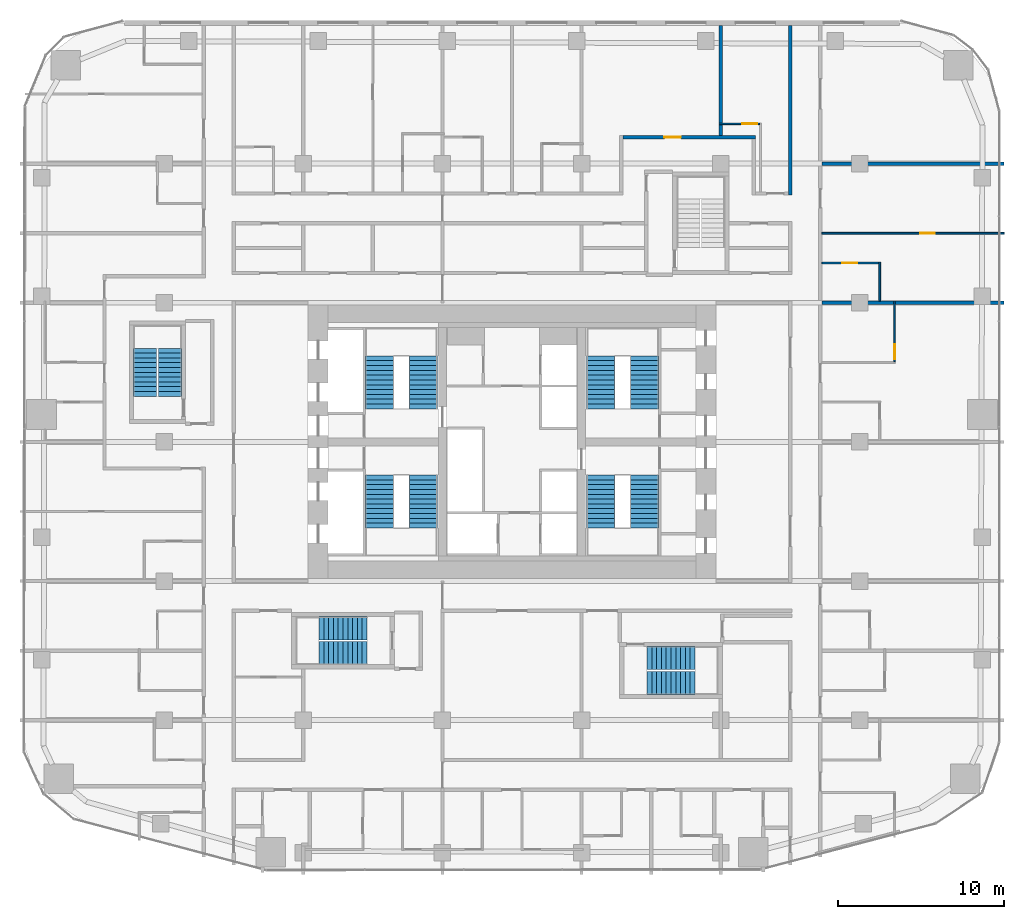
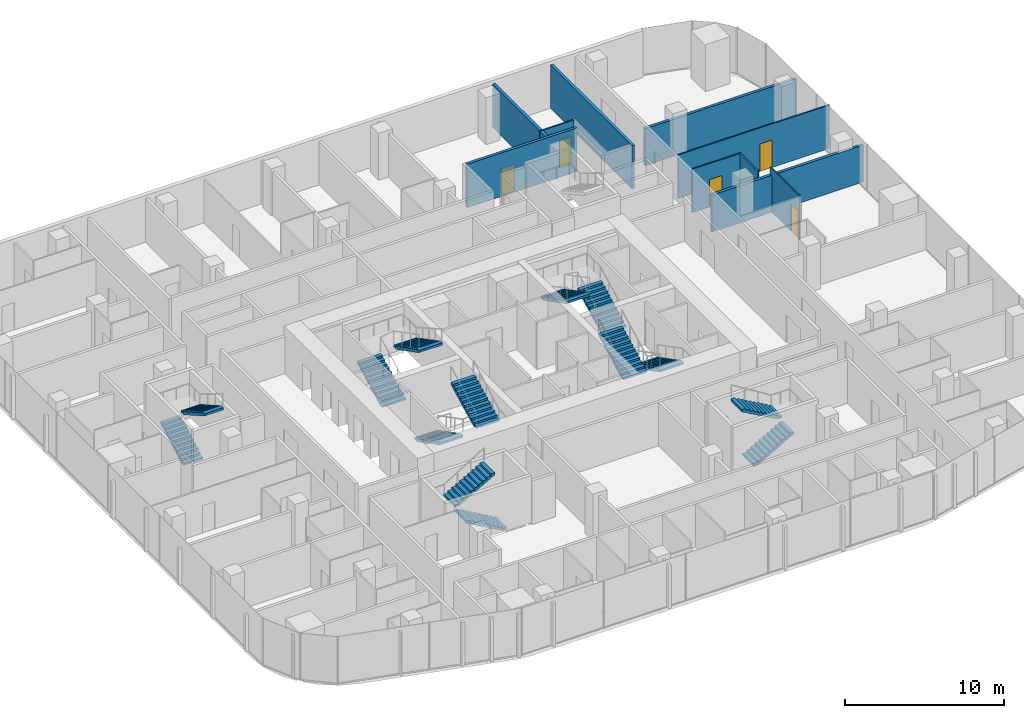
# One storey, part 23 of 26: 14 stair flights, 10 walls, 5 doors, 5 openings, 7 elements without a shape of their own.
"""IFC4 building model written with IfcOpenShell, lengths in metres."""

from ifc_helpers import new_model, si_unit, direction, frame, frame_2d, origin, place, context, subcontext, project, spatial, polyline, rectangle, outline, extrude, material, layer, layer_set, type_object, element, fill, aggregate, save


model = new_model("IFC4")

# Units and contexts
model_context = context("Model", 3, precision=1e-05, world=origin(), true_north=direction((0.0, 1.0)))
body_context = subcontext(model_context, "Body", "Model", "MODEL_VIEW")
ifc_project = project(units=[si_unit("LENGTHUNIT", "METRE"), si_unit("AREAUNIT", "SQUARE_METRE"), si_unit("VOLUMEUNIT", "CUBIC_METRE"), si_unit("PLANEANGLEUNIT", "RADIAN"), si_unit("MASSUNIT", "GRAM", prefix="KILO")], contexts=[model_context])

# Site, building, storey
site_placement = place(None, origin())
site = spatial("IfcSite", under=ifc_project, at=site_placement, CompositionType="ELEMENT")
building_placement = place(site_placement, origin())
building = spatial("IfcBuilding", under=site, at=building_placement, Name="Marenta Gate Hotel Tower", CompositionType="ELEMENT")
storey_placement = place(building_placement, frame((0.0, 0.0, 72.5)))
storey = spatial("IfcBuildingStorey", under=building, at=storey_placement, Name="L16", CompositionType="ELEMENT", Elevation=72.5)

# Wall, opening, door
ifc_material_1 = material(Name="Concrete blockwork", Category="masonry")
ifc_layer_1 = layer(ifc_material_1, 0.199951171875)
ifc_layer_set_1 = layer_set([ifc_layer_1], Name="Concrete blockwork")
wall_type_1 = type_object("IfcWallType", Name="Room corridor wall 200 EI 120", PredefinedType="PARTITIONING", material=ifc_layer_set_1)
wall_1_placement = place(storey_placement, frame((6.699951171875, 26.800048828125, 0.0), z_axis=(0.0, 0.0, 1.0), x_axis=(1.0, 0.0, 0.0)))
wall_1 = element("IfcWall", 1, at=wall_1_placement, inside=storey, type_object=wall_type_1, Name="L16-PTN-W141", PredefinedType="PARTITIONING", context=body_context, shape_type="SweptSolid", body=[
    extrude(rectangle(XDim=8.0, YDim=0.199951171875, at=frame_2d((4.0, 0.0))), origin(), (0.0, 0.0, 1.0), 3.340087890625),
])
opening_1_placement = place(wall_1_placement, frame((2.5, 0.0, 0.0)))
opening_1 = element("IfcOpeningElement", 2, at=opening_1_placement, cuts=wall_1, Name="Opening G06-65", PredefinedType="OPENING", context=body_context, shape_type="SweptSolid", body=[
    extrude(rectangle(XDim=1.0, YDim=2.10009765625, at=frame_2d((0.5, 1.050048828125))), frame((0.0, 0.10009765625, 0.0), z_axis=(0.0, -1.0, 0.0), x_axis=(1.0, 0.0, 0.0)), (0.0, 0.0, 1.0), 0.199951171875),
])
ifc_material_2 = material(Name="Hollow steel door set", Category="steel")
door_type_1 = type_object("IfcDoorType", Name="Room service door 1000x2100 EI 60", OperationType="NOTDEFINED", PredefinedType="DOOR", material=ifc_material_2)
door_1_placement = place(opening_1_placement, origin())
door_1 = element("IfcDoor", 3, at=door_1_placement, inside=storey, type_object=door_type_1, Name="L16-PD-D065", OperationType="SINGLE_SWING_LEFT", OverallHeight=2.10009765625, OverallWidth=1.0, PredefinedType="DOOR", context=body_context, shape_type="SweptSolid", body=[
    extrude(rectangle(XDim=1.0, YDim=2.10009765625, at=frame_2d((0.5, 1.050048828125))), frame((0.0, 0.02490234375, 0.0), z_axis=(0.0, -1.0, 0.0), x_axis=(1.0, 0.0, 0.0)), (0.0, 0.0, 1.0), 0.050048828125),
])
fill(opening_1, door_1)

# Wall
ifc_material_3 = material(Name="Gypsum board on steel stud", Category="steel")
ifc_layer_2 = layer(ifc_material_3, 0.199951171875)
ifc_layer_set_2 = layer_set([ifc_layer_2], Name="Gypsum board on steel stud")
wall_type_2 = type_object("IfcWallType", Name="Room corridor wall 200 EI 60", PredefinedType="PARTITIONING", material=ifc_layer_set_2)
wall_2_placement = place(storey_placement, frame((16.800048828125, 23.300048828125, 0.0), z_axis=(0.0, 0.0, 1.0), x_axis=(0.0, 1.0, 0.0)))
element("IfcWall", 4, at=wall_2_placement, inside=storey, type_object=wall_type_2, Name="L16-PTN-W013", PredefinedType="PARTITIONING", context=body_context, shape_type="SweptSolid", body=[
    extrude(rectangle(XDim=10.239990234375, YDim=0.199951171875, at=frame_2d((5.1201171875, 0.0))), origin(), (0.0, 0.0, 1.0), 3.340087890625),
])

# Wall, opening, door
ifc_material_4 = material(Name="Gypsum board on steel stud", Category="steel")
ifc_layer_3 = layer(ifc_material_4, 0.10009765625)
ifc_layer_set_3 = layer_set([ifc_layer_3], Name="Gypsum board on steel stud")
wall_type_3 = type_object("IfcWallType", Name="Room partition 100", PredefinedType="PARTITIONING", material=ifc_layer_set_3)
wall_3_placement = place(storey_placement, frame((23.10009765625, 13.25, 0.0), z_axis=(0.0, 0.0, 1.0), x_axis=(0.0, 1.0, 0.0)))
wall_3 = element("IfcWall", 5, at=wall_3_placement, inside=storey, type_object=wall_type_3, Name="L16-PTN-W002", PredefinedType="PARTITIONING", context=body_context, shape_type="SweptSolid", body=[
    extrude(rectangle(XDim=3.64990234375, YDim=0.10009765625, at=frame_2d((1.824951171875, 0.0))), origin(), (0.0, 0.0, 1.0), 3.340087890625),
])
opening_2_placement = place(wall_3_placement, frame((0.14990234375, 0.0, 0.0)))
opening_2 = element("IfcOpeningElement", 6, at=opening_2_placement, cuts=wall_3, Name="Opening G06-15", PredefinedType="OPENING", context=body_context, shape_type="SweptSolid", body=[
    extrude(rectangle(XDim=0.89990234375, YDim=2.10009765625, at=frame_2d((0.449951171875, 1.050048828125))), frame((0.0, 0.050048828125, 0.0), z_axis=(0.0, -1.0, 0.0), x_axis=(1.0, 0.0, 0.0)), (0.0, 0.0, 1.0), 0.10009765625),
])
ifc_material_5 = material(Name="Timber door leaf", Category="wood")
door_type_2 = type_object("IfcDoorType", Name="Guest bathroom door 900x2100", OperationType="NOTDEFINED", PredefinedType="DOOR", material=ifc_material_5)
door_2_placement = place(opening_2_placement, origin())
door_2 = element("IfcDoor", 7, at=door_2_placement, inside=storey, type_object=door_type_2, Name="L16-PD-D015", OperationType="SINGLE_SWING_LEFT", OverallHeight=2.10009765625, OverallWidth=0.89990234375, PredefinedType="DOOR", context=body_context, shape_type="SweptSolid", body=[
    extrude(rectangle(XDim=0.89990234375, YDim=2.10009765625, at=frame_2d((0.449951171875, 1.050048828125))), frame((0.0, 0.02490234375, 0.0), z_axis=(0.0, -1.0, 0.0), x_axis=(1.0, 0.0, 0.0)), (0.0, 0.0, 1.0), 0.050048828125),
])
fill(opening_2, door_2)

# Wall
wall_4_placement = place(storey_placement, frame((22.199951171875, 16.89990234375, 0.0), z_axis=(0.0, 0.0, 1.0), x_axis=(0.0, 1.0, 0.0)))
element("IfcWall", 8, at=wall_4_placement, inside=storey, type_object=wall_type_3, Name="L16-PTN-W006", PredefinedType="PARTITIONING", context=body_context, shape_type="SweptSolid", body=[
    extrude(rectangle(XDim=2.35009765625, YDim=0.10009765625, at=frame_2d((1.175048828125, 0.0))), origin(), (0.0, 0.0, 1.0), 3.340087890625),
])

# Wall, opening, door
wall_5_placement = place(storey_placement, frame((18.699951171875, 19.199951171875, 0.0), z_axis=(0.0, 0.0, 1.0), x_axis=(1.0, 0.0, 0.0)))
wall_5 = element("IfcWall", 9, at=wall_5_placement, inside=storey, type_object=wall_type_3, Name="L16-PTN-W116", PredefinedType="PARTITIONING", context=body_context, shape_type="SweptSolid", body=[
    extrude(rectangle(XDim=3.449951171875, YDim=0.10009765625, at=frame_2d((1.72509765625, 0.0))), origin(), (0.0, 0.0, 1.0), 3.340087890625),
])
opening_3_placement = place(wall_5_placement, frame((1.25, 0.0, 0.0)))
opening_3 = element("IfcOpeningElement", 10, at=opening_3_placement, cuts=wall_5, Name="Opening G06-19", PredefinedType="OPENING", context=body_context, shape_type="SweptSolid", body=[
    extrude(rectangle(XDim=0.89990234375, YDim=2.10009765625, at=frame_2d((0.449951171875, 1.050048828125))), frame((0.0, 0.050048828125, 0.0), z_axis=(0.0, -1.0, 0.0), x_axis=(1.0, 0.0, 0.0)), (0.0, 0.0, 1.0), 0.10009765625),
])
door_3_placement = place(opening_3_placement, origin())
door_3 = element("IfcDoor", 11, at=door_3_placement, inside=storey, type_object=door_type_2, Name="L16-PD-D019", OperationType="SINGLE_SWING_RIGHT", OverallHeight=2.10009765625, OverallWidth=0.89990234375, PredefinedType="DOOR", context=body_context, shape_type="SweptSolid", body=[
    extrude(rectangle(XDim=0.89990234375, YDim=2.10009765625, at=frame_2d((0.449951171875, 1.050048828125))), frame((0.0, 0.02490234375, 0.0), z_axis=(0.0, -1.0, 0.0), x_axis=(1.0, 0.0, 0.0)), (0.0, 0.0, 1.0), 0.050048828125),
])
fill(opening_3, door_3)

wall_6_placement = place(storey_placement, frame((18.699951171875, 21.0, 0.0), z_axis=(0.0, 0.0, 1.0), x_axis=(1.0, 0.0, 0.0)))
wall_6 = element("IfcWall", 12, at=wall_6_placement, inside=storey, type_object=wall_type_3, Name="L16-PTN-W121", PredefinedType="PARTITIONING", context=body_context, shape_type="SweptSolid", body=[
    extrude(rectangle(XDim=11.0, YDim=0.10009765625, at=frame_2d((5.5, 0.0))), origin(), (0.0, 0.0, 1.0), 3.340087890625),
])
opening_4_placement = place(wall_6_placement, frame((5.929931640625, 0.0, 0.0)))
opening_4 = element("IfcOpeningElement", 13, at=opening_4_placement, cuts=wall_6, Name="Opening G06-18", PredefinedType="OPENING", context=body_context, shape_type="SweptSolid", body=[
    extrude(rectangle(XDim=0.89990234375, YDim=2.10009765625, at=frame_2d((0.449951171875, 1.050048828125))), frame((0.0, 0.050048828125, 0.0), z_axis=(0.0, -1.0, 0.0), x_axis=(1.0, 0.0, 0.0)), (0.0, 0.0, 1.0), 0.10009765625),
])
ifc_material_6 = material(Name="Timber door leaf", Category="wood")
door_type_3 = type_object("IfcDoorType", Name="Room inner door 900x2100", OperationType="NOTDEFINED", PredefinedType="DOOR", material=ifc_material_6)
door_4_placement = place(opening_4_placement, origin())
door_4 = element("IfcDoor", 14, at=door_4_placement, inside=storey, type_object=door_type_3, Name="L16-PD-D018", OperationType="SINGLE_SWING_RIGHT", OverallHeight=2.10009765625, OverallWidth=0.89990234375, PredefinedType="DOOR", context=body_context, shape_type="SweptSolid", body=[
    extrude(rectangle(XDim=0.89990234375, YDim=2.10009765625, at=frame_2d((0.449951171875, 1.050048828125))), frame((0.0, 0.02490234375, 0.0), z_axis=(0.0, -1.0, 0.0), x_axis=(1.0, 0.0, 0.0)), (0.0, 0.0, 1.0), 0.050048828125),
])
fill(opening_4, door_4)

wall_7_placement = place(storey_placement, frame((12.5, 27.60009765625, 0.0), z_axis=(0.0, 0.0, 1.0), x_axis=(1.0, 0.0, 0.0)))
wall_7 = element("IfcWall", 15, at=wall_7_placement, inside=storey, type_object=wall_type_3, Name="L16-PTN-W143", PredefinedType="PARTITIONING", context=body_context, shape_type="SweptSolid", body=[
    extrude(rectangle(XDim=2.449951171875, YDim=0.10009765625, at=frame_2d((1.22509765625, 0.0))), origin(), (0.0, 0.0, 1.0), 3.340087890625),
])
opening_5_placement = place(wall_7_placement, frame((1.39990234375, 0.0, 0.0)))
opening_5 = element("IfcOpeningElement", 16, at=opening_5_placement, cuts=wall_7, Name="Opening G06-31", PredefinedType="OPENING", context=body_context, shape_type="SweptSolid", body=[
    extrude(rectangle(XDim=0.89990234375, YDim=2.10009765625, at=frame_2d((0.449951171875, 1.050048828125))), frame((0.0, 0.050048828125, 0.0), z_axis=(0.0, -1.0, 0.0), x_axis=(1.0, 0.0, 0.0)), (0.0, 0.0, 1.0), 0.10009765625),
])
door_5_placement = place(opening_5_placement, origin())
door_5 = element("IfcDoor", 17, at=door_5_placement, inside=storey, type_object=door_type_2, Name="L16-PD-D031", OperationType="SINGLE_SWING_LEFT", OverallHeight=2.10009765625, OverallWidth=0.89990234375, PredefinedType="DOOR", context=body_context, shape_type="SweptSolid", body=[
    extrude(rectangle(XDim=0.89990234375, YDim=2.10009765625, at=frame_2d((0.449951171875, 1.050048828125))), frame((0.0, 0.02490234375, 0.0), z_axis=(0.0, -1.0, 0.0), x_axis=(1.0, 0.0, 0.0)), (0.0, 0.0, 1.0), 0.050048828125),
])
fill(opening_5, door_5)

# Walls
ifc_material_7 = material(Name="Concrete blockwork", Category="masonry")
ifc_layer_4 = layer(ifc_material_7, 0.199951171875)
ifc_layer_set_4 = layer_set([ifc_layer_4], Name="Concrete blockwork")
wall_type_4 = type_object("IfcWallType", Name="Room party wall 200 EI 120", PredefinedType="PARTITIONING", material=ifc_layer_set_4)
wall_8_placement = place(storey_placement, frame((12.60009765625, 26.89990234375, 0.0), z_axis=(0.0, 0.0, 1.0), x_axis=(0.0, 1.0, 0.0)))
element("IfcWall", 18, at=wall_8_placement, inside=storey, type_object=wall_type_4, Name="L16-PTN-W032", PredefinedType="PARTITIONING", context=body_context, shape_type="SweptSolid", body=[
    extrude(rectangle(XDim=6.64013671875, YDim=0.199951171875, at=frame_2d((3.320068359375, 0.0))), origin(), (0.0, 0.0, 1.0), 3.340087890625),
])
ifc_material_8 = material(Name="Gypsum board on steel stud", Category="steel")
ifc_layer_5 = layer(ifc_material_8, 0.199951171875)
ifc_layer_set_5 = layer_set([ifc_layer_5], Name="Gypsum board on steel stud")
wall_type_5 = type_object("IfcWallType", Name="Room party wall 200 EI 60", PredefinedType="PARTITIONING", material=ifc_layer_set_5)
for number, where, z_axis, x_axis, name in (
    (19, (18.699951171875, 16.800048828125, 0.0), (0.0, 0.0, 1.0), (1.0, 0.0, 0.0), "L16-PTN-W108"),
    (20, (18.699951171875, 25.199951171875, 0.0), (0.0, 0.0, 1.0), (1.0, 0.0, 0.0), "L16-PTN-W137"),
):
    element("IfcWall", number, at=place(storey_placement, frame(where, z_axis=z_axis, x_axis=x_axis)), inside=storey, type_object=wall_type_5, Name=name, PredefinedType="PARTITIONING", context=body_context, shape_type="SweptSolid", body=[
        extrude(rectangle(XDim=11.0, YDim=0.199951171875, at=frame_2d((5.5, 0.0))), origin(), (0.0, 0.0, 1.0), 2.840087890625),
    ])

# Stair, stair flights
ifc_material_9 = material(Name="Concrete C40", Category="concrete")
stair_type_1 = type_object("IfcStairType", Name="Core exit stair 1700 wide", PredefinedType="HALF_TURN_STAIR", material=ifc_material_9)
stair_1_placement = place(storey_placement, origin())
stair_1 = element("IfcStair", 21, at=stair_1_placement, inside=storey, type_object=stair_type_1, Name="Exit stair 1", PredefinedType="HALF_TURN_STAIR")
ifc_material_10 = material(Name="Concrete C40", Category="concrete")
stair_flight_type_1 = type_object("IfcStairFlightType", Name="Core stair flight 1700 riser 150.0 going 290", PredefinedType="STRAIGHT", material=ifc_material_10)
stair_flight_1_placement = place(storey_placement, frame((-8.0, 6.39990234375, 0.0), z_axis=(0.0, 0.0, 1.0), x_axis=(0.0, -1.0, 0.0)))
stair_flight_1 = element("IfcStairFlight", 22, at=stair_flight_1_placement, type_object=stair_flight_type_1, Name="ST1 flight 1", NumberOfRisers=12, NumberOfTreads=11, PredefinedType="STRAIGHT", RiserHeight=0.15, TreadLength=0.29, context=body_context, shape_type="SweptSolid", body=[
    extrude(outline(polyline([(0.0, 0.0), (0.0, 0.14990234375), (0.2900390625, 0.14990234375), (0.2900390625, 0.300048828125), (0.580078125, 0.300048828125), (0.580078125, 0.449951171875), (0.8701171875, 0.449951171875), (0.8701171875, 0.60009765625), (1.159912109375, 0.60009765625), (1.159912109375, 0.75), (1.449951171875, 0.75), (1.449951171875, 0.89990234375), (1.739990234375, 0.89990234375), (1.739990234375, 1.050048828125), (2.030029296875, 1.050048828125), (2.030029296875, 1.199951171875), (2.320068359375, 1.199951171875), (2.320068359375, 1.35009765625), (2.610107421875, 1.35009765625), (2.610107421875, 1.5), (2.89990234375, 1.5), (2.89990234375, 1.64990234375), (3.18994140625, 1.64990234375), (3.18994140625, 1.800048828125), (3.18994140625, 1.481201171875), (0.326171875, 0.0), (0.0, 0.0)])), frame((0.0, 0.85009765625, 0.0), z_axis=(0.0, -1.0, 0.0), x_axis=(1.0, 0.0, 0.0)), (0.0, 0.0, 1.0), 1.699951171875),
])
stair_flight_2_placement = place(storey_placement, frame((-5.35009765625, 3.2099609375, 1.800048828125), z_axis=(0.0, 0.0, 1.0), x_axis=(0.0, 1.0, 0.0)))
stair_flight_2 = element("IfcStairFlight", 23, at=stair_flight_2_placement, type_object=stair_flight_type_1, Name="ST1 flight 2", NumberOfRisers=12, NumberOfTreads=11, PredefinedType="STRAIGHT", RiserHeight=0.15, TreadLength=0.29, context=body_context, shape_type="SweptSolid", body=[
    extrude(outline(polyline([(0.0, 0.0), (0.0, 0.14990234375), (0.2900390625, 0.14990234375), (0.2900390625, 0.300048828125), (0.580078125, 0.300048828125), (0.580078125, 0.449951171875), (0.8701171875, 0.449951171875), (0.8701171875, 0.60009765625), (1.159912109375, 0.60009765625), (1.159912109375, 0.75), (1.449951171875, 0.75), (1.449951171875, 0.89990234375), (1.739990234375, 0.89990234375), (1.739990234375, 1.050048828125), (2.030029296875, 1.050048828125), (2.030029296875, 1.199951171875), (2.320068359375, 1.199951171875), (2.320068359375, 1.35009765625), (2.610107421875, 1.35009765625), (2.610107421875, 1.5), (2.89990234375, 1.5), (2.89990234375, 1.64990234375), (3.18994140625, 1.64990234375), (3.18994140625, 1.800048828125), (3.18994140625, 1.481201171875), (0.326171875, 0.0), (0.0, 0.0)])), frame((0.0, 0.85009765625, 0.0), z_axis=(0.0, -1.0, 0.0), x_axis=(1.0, 0.0, 0.0)), (0.0, 0.0, 1.0), 1.699951171875),
])
aggregate(stair_1, [stair_flight_1, stair_flight_2])

stair_2_placement = place(storey_placement, origin())
stair_2 = element("IfcStair", 24, at=stair_2_placement, inside=storey, type_object=stair_type_1, Name="Exit stair 2", PredefinedType="HALF_TURN_STAIR")
stair_flight_3_placement = place(storey_placement, frame((-8.0, 10.39990234375, 0.0), z_axis=(0.0, 0.0, 1.0), x_axis=(0.0, 1.0, 0.0)))
stair_flight_3 = element("IfcStairFlight", 25, at=stair_flight_3_placement, type_object=stair_flight_type_1, Name="ST2 flight 1", NumberOfRisers=12, NumberOfTreads=11, PredefinedType="STRAIGHT", RiserHeight=0.15, TreadLength=0.29, context=body_context, shape_type="SweptSolid", body=[
    extrude(outline(polyline([(0.0, 0.0), (0.0, 0.14990234375), (0.2900390625, 0.14990234375), (0.2900390625, 0.300048828125), (0.580078125, 0.300048828125), (0.580078125, 0.449951171875), (0.8701171875, 0.449951171875), (0.8701171875, 0.60009765625), (1.159912109375, 0.60009765625), (1.159912109375, 0.75), (1.449951171875, 0.75), (1.449951171875, 0.89990234375), (1.739990234375, 0.89990234375), (1.739990234375, 1.050048828125), (2.030029296875, 1.050048828125), (2.030029296875, 1.199951171875), (2.320068359375, 1.199951171875), (2.320068359375, 1.35009765625), (2.610107421875, 1.35009765625), (2.610107421875, 1.5), (2.89990234375, 1.5), (2.89990234375, 1.64990234375), (3.18994140625, 1.64990234375), (3.18994140625, 1.800048828125), (3.18994140625, 1.481201171875), (0.326171875, 0.0), (0.0, 0.0)])), frame((0.0, 0.85009765625, 0.0), z_axis=(0.0, -1.0, 0.0), x_axis=(1.0, 0.0, 0.0)), (0.0, 0.0, 1.0), 1.699951171875),
])
stair_flight_4_placement = place(storey_placement, frame((-5.35009765625, 13.590087890625, 1.800048828125), z_axis=(0.0, 0.0, 1.0), x_axis=(0.0, -1.0, 0.0)))
stair_flight_4 = element("IfcStairFlight", 26, at=stair_flight_4_placement, type_object=stair_flight_type_1, Name="ST2 flight 2", NumberOfRisers=12, NumberOfTreads=11, PredefinedType="STRAIGHT", RiserHeight=0.15, TreadLength=0.29, context=body_context, shape_type="SweptSolid", body=[
    extrude(outline(polyline([(0.0, 0.0), (0.0, 0.14990234375), (0.2900390625, 0.14990234375), (0.2900390625, 0.300048828125), (0.580078125, 0.300048828125), (0.580078125, 0.449951171875), (0.8701171875, 0.449951171875), (0.8701171875, 0.60009765625), (1.159912109375, 0.60009765625), (1.159912109375, 0.75), (1.449951171875, 0.75), (1.449951171875, 0.89990234375), (1.739990234375, 0.89990234375), (1.739990234375, 1.050048828125), (2.030029296875, 1.050048828125), (2.030029296875, 1.199951171875), (2.320068359375, 1.199951171875), (2.320068359375, 1.35009765625), (2.610107421875, 1.35009765625), (2.610107421875, 1.5), (2.89990234375, 1.5), (2.89990234375, 1.64990234375), (3.18994140625, 1.64990234375), (3.18994140625, 1.800048828125), (3.18994140625, 1.481201171875), (0.326171875, 0.0), (0.0, 0.0)])), frame((0.0, 0.85009765625, 0.0), z_axis=(0.0, -1.0, 0.0), x_axis=(1.0, 0.0, 0.0)), (0.0, 0.0, 1.0), 1.699951171875),
])
aggregate(stair_2, [stair_flight_3, stair_flight_4])

stair_3_placement = place(storey_placement, origin())
stair_3 = element("IfcStair", 27, at=stair_3_placement, inside=storey, type_object=stair_type_1, Name="Exit stair 3", PredefinedType="HALF_TURN_STAIR")
stair_flight_5_placement = place(storey_placement, frame((8.0, 6.39990234375, 0.0), z_axis=(0.0, 0.0, 1.0), x_axis=(0.0, -1.0, 0.0)))
stair_flight_5 = element("IfcStairFlight", 28, at=stair_flight_5_placement, type_object=stair_flight_type_1, Name="ST3 flight 1", NumberOfRisers=12, NumberOfTreads=11, PredefinedType="STRAIGHT", RiserHeight=0.15, TreadLength=0.29, context=body_context, shape_type="SweptSolid", body=[
    extrude(outline(polyline([(0.0, 0.0), (0.0, 0.14990234375), (0.2900390625, 0.14990234375), (0.2900390625, 0.300048828125), (0.580078125, 0.300048828125), (0.580078125, 0.449951171875), (0.8701171875, 0.449951171875), (0.8701171875, 0.60009765625), (1.159912109375, 0.60009765625), (1.159912109375, 0.75), (1.449951171875, 0.75), (1.449951171875, 0.89990234375), (1.739990234375, 0.89990234375), (1.739990234375, 1.050048828125), (2.030029296875, 1.050048828125), (2.030029296875, 1.199951171875), (2.320068359375, 1.199951171875), (2.320068359375, 1.35009765625), (2.610107421875, 1.35009765625), (2.610107421875, 1.5), (2.89990234375, 1.5), (2.89990234375, 1.64990234375), (3.18994140625, 1.64990234375), (3.18994140625, 1.800048828125), (3.18994140625, 1.481201171875), (0.326171875, 0.0), (0.0, 0.0)])), frame((0.0, 0.85009765625, 0.0), z_axis=(0.0, -1.0, 0.0), x_axis=(1.0, 0.0, 0.0)), (0.0, 0.0, 1.0), 1.699951171875),
])
stair_flight_6_placement = place(storey_placement, frame((5.35009765625, 3.2099609375, 1.800048828125), z_axis=(0.0, 0.0, 1.0), x_axis=(0.0, 1.0, 0.0)))
stair_flight_6 = element("IfcStairFlight", 29, at=stair_flight_6_placement, type_object=stair_flight_type_1, Name="ST3 flight 2", NumberOfRisers=12, NumberOfTreads=11, PredefinedType="STRAIGHT", RiserHeight=0.15, TreadLength=0.29, context=body_context, shape_type="SweptSolid", body=[
    extrude(outline(polyline([(0.0, 0.0), (0.0, 0.14990234375), (0.2900390625, 0.14990234375), (0.2900390625, 0.300048828125), (0.580078125, 0.300048828125), (0.580078125, 0.449951171875), (0.8701171875, 0.449951171875), (0.8701171875, 0.60009765625), (1.159912109375, 0.60009765625), (1.159912109375, 0.75), (1.449951171875, 0.75), (1.449951171875, 0.89990234375), (1.739990234375, 0.89990234375), (1.739990234375, 1.050048828125), (2.030029296875, 1.050048828125), (2.030029296875, 1.199951171875), (2.320068359375, 1.199951171875), (2.320068359375, 1.35009765625), (2.610107421875, 1.35009765625), (2.610107421875, 1.5), (2.89990234375, 1.5), (2.89990234375, 1.64990234375), (3.18994140625, 1.64990234375), (3.18994140625, 1.800048828125), (3.18994140625, 1.481201171875), (0.326171875, 0.0), (0.0, 0.0)])), frame((0.0, 0.85009765625, 0.0), z_axis=(0.0, -1.0, 0.0), x_axis=(1.0, 0.0, 0.0)), (0.0, 0.0, 1.0), 1.699951171875),
])
aggregate(stair_3, [stair_flight_5, stair_flight_6])

stair_4_placement = place(storey_placement, origin())
stair_4 = element("IfcStair", 30, at=stair_4_placement, inside=storey, type_object=stair_type_1, Name="Exit stair 4", PredefinedType="HALF_TURN_STAIR")
stair_flight_7_placement = place(storey_placement, frame((8.0, 10.39990234375, 0.0), z_axis=(0.0, 0.0, 1.0), x_axis=(0.0, 1.0, 0.0)))
stair_flight_7 = element("IfcStairFlight", 31, at=stair_flight_7_placement, type_object=stair_flight_type_1, Name="ST4 flight 1", NumberOfRisers=12, NumberOfTreads=11, PredefinedType="STRAIGHT", RiserHeight=0.15, TreadLength=0.29, context=body_context, shape_type="SweptSolid", body=[
    extrude(outline(polyline([(0.0, 0.0), (0.0, 0.14990234375), (0.2900390625, 0.14990234375), (0.2900390625, 0.300048828125), (0.580078125, 0.300048828125), (0.580078125, 0.449951171875), (0.8701171875, 0.449951171875), (0.8701171875, 0.60009765625), (1.159912109375, 0.60009765625), (1.159912109375, 0.75), (1.449951171875, 0.75), (1.449951171875, 0.89990234375), (1.739990234375, 0.89990234375), (1.739990234375, 1.050048828125), (2.030029296875, 1.050048828125), (2.030029296875, 1.199951171875), (2.320068359375, 1.199951171875), (2.320068359375, 1.35009765625), (2.610107421875, 1.35009765625), (2.610107421875, 1.5), (2.89990234375, 1.5), (2.89990234375, 1.64990234375), (3.18994140625, 1.64990234375), (3.18994140625, 1.800048828125), (3.18994140625, 1.481201171875), (0.326171875, 0.0), (0.0, 0.0)])), frame((0.0, 0.85009765625, 0.0), z_axis=(0.0, -1.0, 0.0), x_axis=(1.0, 0.0, 0.0)), (0.0, 0.0, 1.0), 1.699951171875),
])
stair_flight_8_placement = place(storey_placement, frame((5.35009765625, 13.590087890625, 1.800048828125), z_axis=(0.0, 0.0, 1.0), x_axis=(0.0, -1.0, 0.0)))
stair_flight_8 = element("IfcStairFlight", 32, at=stair_flight_8_placement, type_object=stair_flight_type_1, Name="ST4 flight 2", NumberOfRisers=12, NumberOfTreads=11, PredefinedType="STRAIGHT", RiserHeight=0.15, TreadLength=0.29, context=body_context, shape_type="SweptSolid", body=[
    extrude(outline(polyline([(0.0, 0.0), (0.0, 0.14990234375), (0.2900390625, 0.14990234375), (0.2900390625, 0.300048828125), (0.580078125, 0.300048828125), (0.580078125, 0.449951171875), (0.8701171875, 0.449951171875), (0.8701171875, 0.60009765625), (1.159912109375, 0.60009765625), (1.159912109375, 0.75), (1.449951171875, 0.75), (1.449951171875, 0.89990234375), (1.739990234375, 0.89990234375), (1.739990234375, 1.050048828125), (2.030029296875, 1.050048828125), (2.030029296875, 1.199951171875), (2.320068359375, 1.199951171875), (2.320068359375, 1.35009765625), (2.610107421875, 1.35009765625), (2.610107421875, 1.5), (2.89990234375, 1.5), (2.89990234375, 1.64990234375), (3.18994140625, 1.64990234375), (3.18994140625, 1.800048828125), (3.18994140625, 1.481201171875), (0.326171875, 0.0), (0.0, 0.0)])), frame((0.0, 0.85009765625, 0.0), z_axis=(0.0, -1.0, 0.0), x_axis=(1.0, 0.0, 0.0)), (0.0, 0.0, 1.0), 1.699951171875),
])
aggregate(stair_4, [stair_flight_7, stair_flight_8])

ifc_material_11 = material(Name="Concrete C40", Category="concrete")
stair_type_2 = type_object("IfcStairType", Name="Remote exit stair 1400 wide", PredefinedType="HALF_TURN_STAIR", material=ifc_material_11)
stair_5_placement = place(storey_placement, origin())
stair_5 = element("IfcStair", 33, at=stair_5_placement, inside=storey, type_object=stair_type_2, Name="Exit stair RS-Z1-1", PredefinedType="HALF_TURN_STAIR")
ifc_material_12 = material(Name="Concrete C40", Category="concrete")
stair_flight_type_2 = type_object("IfcStairFlightType", Name="Remote stair flight 1400 riser 163.6 going 290", PredefinedType="STRAIGHT", material=ifc_material_12)
stair_flight_9_placement = place(storey_placement, frame((8.14990234375, -6.14990234375, 0.0), z_axis=(0.0, 0.0, 1.0), x_axis=(1.0, 0.0, 0.0)))
stair_flight_9 = element("IfcStairFlight", 34, at=stair_flight_9_placement, type_object=stair_flight_type_2, Name="RS-Z1-1 flight 1", NumberOfRisers=11, NumberOfTreads=10, PredefinedType="STRAIGHT", RiserHeight=0.163636, TreadLength=0.29, context=body_context, shape_type="SweptSolid", body=[
    extrude(outline(polyline([(0.0, 0.0), (0.0, 0.16357421875), (0.2900390625, 0.16357421875), (0.2900390625, 0.327392578125), (0.580078125, 0.327392578125), (0.580078125, 0.490966796875), (0.8701171875, 0.490966796875), (0.8701171875, 0.654541015625), (1.159912109375, 0.654541015625), (1.159912109375, 0.818115234375), (1.449951171875, 0.818115234375), (1.449951171875, 0.98193359375), (1.739990234375, 0.98193359375), (1.739990234375, 1.1455078125), (2.030029296875, 1.1455078125), (2.030029296875, 1.30908203125), (2.320068359375, 1.30908203125), (2.320068359375, 1.47265625), (2.610107421875, 1.47265625), (2.610107421875, 1.636474609375), (2.89990234375, 1.636474609375), (2.89990234375, 1.800048828125), (2.89990234375, 1.46435546875), (0.304931640625, 0.0), (0.0, 0.0)])), frame((0.0, 0.699951171875, 0.0), z_axis=(0.0, -1.0, 0.0), x_axis=(1.0, 0.0, 0.0)), (0.0, 0.0, 1.0), 1.39990234375),
])
stair_flight_10_placement = place(storey_placement, frame((11.050048828125, -4.64990234375, 1.800048828125), z_axis=(0.0, 0.0, 1.0), x_axis=(-1.0, 0.0, 0.0)))
stair_flight_10 = element("IfcStairFlight", 35, at=stair_flight_10_placement, type_object=stair_flight_type_2, Name="RS-Z1-1 flight 2", NumberOfRisers=11, NumberOfTreads=10, PredefinedType="STRAIGHT", RiserHeight=0.163636, TreadLength=0.29, context=body_context, shape_type="SweptSolid", body=[
    extrude(outline(polyline([(0.0, 0.0), (0.0, 0.16357421875), (0.2900390625, 0.16357421875), (0.2900390625, 0.327392578125), (0.580078125, 0.327392578125), (0.580078125, 0.490966796875), (0.8701171875, 0.490966796875), (0.8701171875, 0.654541015625), (1.159912109375, 0.654541015625), (1.159912109375, 0.818115234375), (1.449951171875, 0.818115234375), (1.449951171875, 0.98193359375), (1.739990234375, 0.98193359375), (1.739990234375, 1.1455078125), (2.030029296875, 1.1455078125), (2.030029296875, 1.30908203125), (2.320068359375, 1.30908203125), (2.320068359375, 1.47265625), (2.610107421875, 1.47265625), (2.610107421875, 1.636474609375), (2.89990234375, 1.636474609375), (2.89990234375, 1.800048828125), (2.89990234375, 1.46435546875), (0.304931640625, 0.0), (0.0, 0.0)])), frame((0.0, 0.699951171875, 0.0), z_axis=(0.0, -1.0, 0.0), x_axis=(1.0, 0.0, 0.0)), (0.0, 0.0, 1.0), 1.39990234375),
])
aggregate(stair_5, [stair_flight_9, stair_flight_10])

stair_6_placement = place(storey_placement, origin())
stair_6 = element("IfcStair", 36, at=stair_6_placement, inside=storey, type_object=stair_type_2, Name="Exit stair RS-Z1-2", PredefinedType="HALF_TURN_STAIR")
stair_flight_11_placement = place(storey_placement, frame((-8.75, -4.35009765625, 0.0), z_axis=(0.0, 0.0, 1.0), x_axis=(-1.0, 0.0, 0.0)))
stair_flight_11 = element("IfcStairFlight", 37, at=stair_flight_11_placement, type_object=stair_flight_type_2, Name="RS-Z1-2 flight 1", NumberOfRisers=11, NumberOfTreads=10, PredefinedType="STRAIGHT", RiserHeight=0.163636, TreadLength=0.29, context=body_context, shape_type="SweptSolid", body=[
    extrude(outline(polyline([(0.0, 0.0), (0.0, 0.16357421875), (0.2900390625, 0.16357421875), (0.2900390625, 0.327392578125), (0.580078125, 0.327392578125), (0.580078125, 0.490966796875), (0.8701171875, 0.490966796875), (0.8701171875, 0.654541015625), (1.159912109375, 0.654541015625), (1.159912109375, 0.818115234375), (1.449951171875, 0.818115234375), (1.449951171875, 0.98193359375), (1.739990234375, 0.98193359375), (1.739990234375, 1.1455078125), (2.030029296875, 1.1455078125), (2.030029296875, 1.30908203125), (2.320068359375, 1.30908203125), (2.320068359375, 1.47265625), (2.610107421875, 1.47265625), (2.610107421875, 1.636474609375), (2.89990234375, 1.636474609375), (2.89990234375, 1.800048828125), (2.89990234375, 1.46435546875), (0.304931640625, 0.0), (0.0, 0.0)])), frame((0.0, 0.699951171875, 0.0), z_axis=(0.0, -1.0, 0.0), x_axis=(1.0, 0.0, 0.0)), (0.0, 0.0, 1.0), 1.39990234375),
])
stair_flight_12_placement = place(storey_placement, frame((-11.64990234375, -2.85009765625, 1.800048828125), z_axis=(0.0, 0.0, 1.0), x_axis=(1.0, 0.0, 0.0)))
stair_flight_12 = element("IfcStairFlight", 38, at=stair_flight_12_placement, type_object=stair_flight_type_2, Name="RS-Z1-2 flight 2", NumberOfRisers=11, NumberOfTreads=10, PredefinedType="STRAIGHT", RiserHeight=0.163636, TreadLength=0.29, context=body_context, shape_type="SweptSolid", body=[
    extrude(outline(polyline([(0.0, 0.0), (0.0, 0.16357421875), (0.2900390625, 0.16357421875), (0.2900390625, 0.327392578125), (0.580078125, 0.327392578125), (0.580078125, 0.490966796875), (0.8701171875, 0.490966796875), (0.8701171875, 0.654541015625), (1.159912109375, 0.654541015625), (1.159912109375, 0.818115234375), (1.449951171875, 0.818115234375), (1.449951171875, 0.98193359375), (1.739990234375, 0.98193359375), (1.739990234375, 1.1455078125), (2.030029296875, 1.1455078125), (2.030029296875, 1.30908203125), (2.320068359375, 1.30908203125), (2.320068359375, 1.47265625), (2.610107421875, 1.47265625), (2.610107421875, 1.636474609375), (2.89990234375, 1.636474609375), (2.89990234375, 1.800048828125), (2.89990234375, 1.46435546875), (0.304931640625, 0.0), (0.0, 0.0)])), frame((0.0, 0.699951171875, 0.0), z_axis=(0.0, -1.0, 0.0), x_axis=(1.0, 0.0, 0.0)), (0.0, 0.0, 1.0), 1.39990234375),
])
aggregate(stair_6, [stair_flight_11, stair_flight_12])

stair_7_placement = place(storey_placement, origin())
stair_7 = element("IfcStair", 39, at=stair_7_placement, inside=storey, type_object=stair_type_2, Name="Exit stair RS-Z1-3", PredefinedType="HALF_TURN_STAIR")
stair_flight_13_placement = place(storey_placement, frame((-22.14990234375, 11.14990234375, 0.0), z_axis=(0.0, 0.0, 1.0), x_axis=(0.0, 1.0, 0.0)))
stair_flight_13 = element("IfcStairFlight", 40, at=stair_flight_13_placement, type_object=stair_flight_type_2, Name="RS-Z1-3 flight 1", NumberOfRisers=11, NumberOfTreads=10, PredefinedType="STRAIGHT", RiserHeight=0.163636, TreadLength=0.29, context=body_context, shape_type="SweptSolid", body=[
    extrude(outline(polyline([(0.0, 0.0), (0.0, 0.16357421875), (0.2900390625, 0.16357421875), (0.2900390625, 0.327392578125), (0.580078125, 0.327392578125), (0.580078125, 0.490966796875), (0.8701171875, 0.490966796875), (0.8701171875, 0.654541015625), (1.159912109375, 0.654541015625), (1.159912109375, 0.818115234375), (1.449951171875, 0.818115234375), (1.449951171875, 0.98193359375), (1.739990234375, 0.98193359375), (1.739990234375, 1.1455078125), (2.030029296875, 1.1455078125), (2.030029296875, 1.30908203125), (2.320068359375, 1.30908203125), (2.320068359375, 1.47265625), (2.610107421875, 1.47265625), (2.610107421875, 1.636474609375), (2.89990234375, 1.636474609375), (2.89990234375, 1.800048828125), (2.89990234375, 1.46435546875), (0.304931640625, 0.0), (0.0, 0.0)])), frame((0.0, 0.699951171875, 0.0), z_axis=(0.0, -1.0, 0.0), x_axis=(1.0, 0.0, 0.0)), (0.0, 0.0, 1.0), 1.39990234375),
])
stair_flight_14_placement = place(storey_placement, frame((-20.64990234375, 14.050048828125, 1.800048828125), z_axis=(0.0, 0.0, 1.0), x_axis=(0.0, -1.0, 0.0)))
stair_flight_14 = element("IfcStairFlight", 41, at=stair_flight_14_placement, type_object=stair_flight_type_2, Name="RS-Z1-3 flight 2", NumberOfRisers=11, NumberOfTreads=10, PredefinedType="STRAIGHT", RiserHeight=0.163636, TreadLength=0.29, context=body_context, shape_type="SweptSolid", body=[
    extrude(outline(polyline([(0.0, 0.0), (0.0, 0.16357421875), (0.2900390625, 0.16357421875), (0.2900390625, 0.327392578125), (0.580078125, 0.327392578125), (0.580078125, 0.490966796875), (0.8701171875, 0.490966796875), (0.8701171875, 0.654541015625), (1.159912109375, 0.654541015625), (1.159912109375, 0.818115234375), (1.449951171875, 0.818115234375), (1.449951171875, 0.98193359375), (1.739990234375, 0.98193359375), (1.739990234375, 1.1455078125), (2.030029296875, 1.1455078125), (2.030029296875, 1.30908203125), (2.320068359375, 1.30908203125), (2.320068359375, 1.47265625), (2.610107421875, 1.47265625), (2.610107421875, 1.636474609375), (2.89990234375, 1.636474609375), (2.89990234375, 1.800048828125), (2.89990234375, 1.46435546875), (0.304931640625, 0.0), (0.0, 0.0)])), frame((0.0, 0.699951171875, 0.0), z_axis=(0.0, -1.0, 0.0), x_axis=(1.0, 0.0, 0.0)), (0.0, 0.0, 1.0), 1.39990234375),
])
aggregate(stair_7, [stair_flight_13, stair_flight_14])

save(model, "model.ifc")
